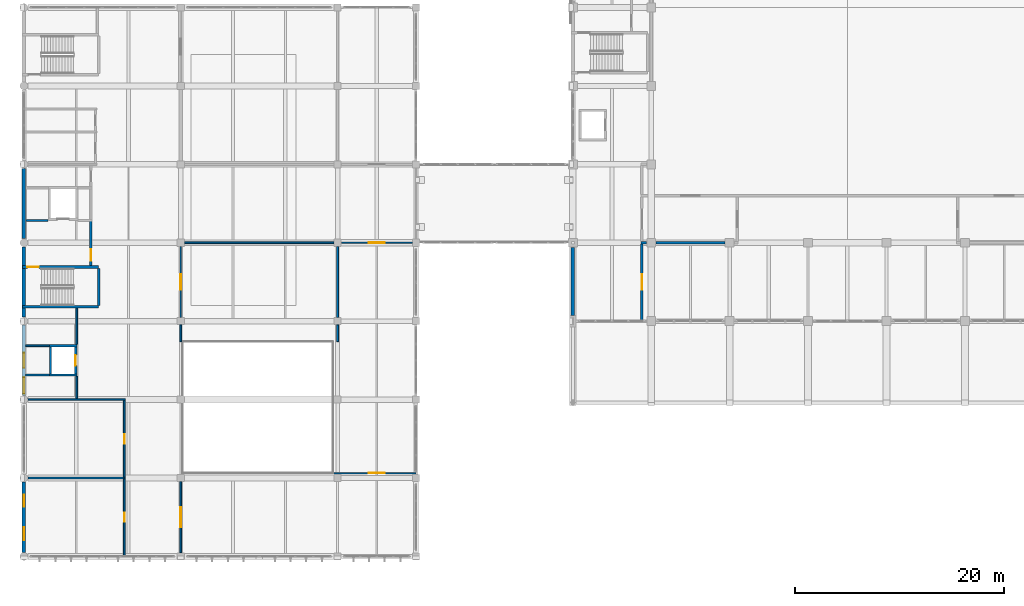
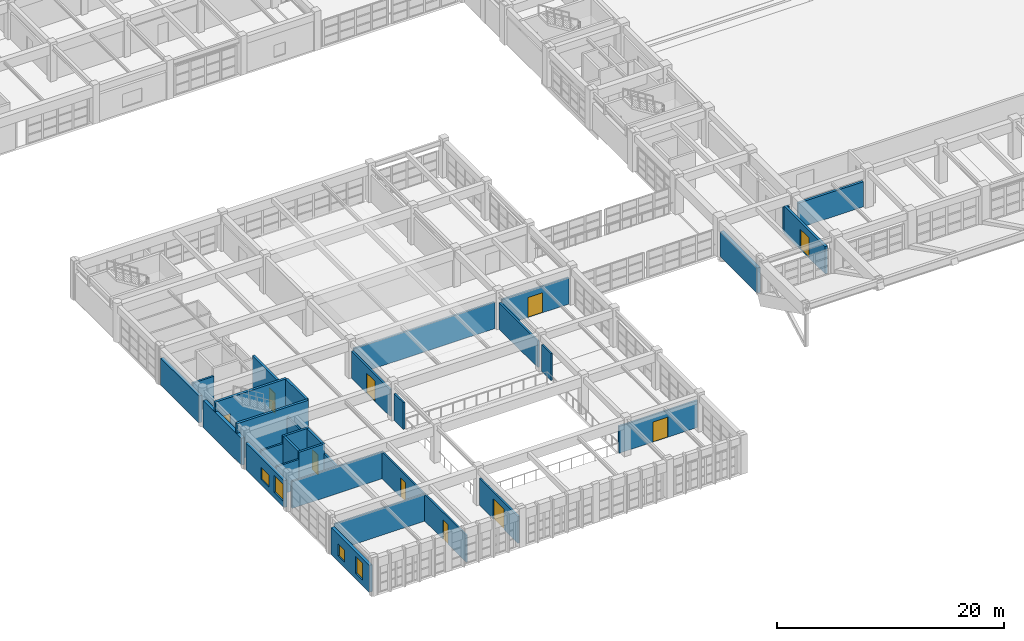
# One storey, part 99 of 132: 33 walls, 10 doors, 4 windows, 14 openings.
"""IFC4 building model written with IfcOpenShell, lengths in metres."""

from ifc_helpers import new_model, si_unit, direction, frame, frame_2d, origin, place, context, subcontext, project, spatial, rectangle, extrude, material, layer, layer_set, type_object, element, fill, save


model = new_model("IFC4")

# Units and contexts
model_context = context("Model", 3, precision=1e-05, world=origin(), true_north=direction((0.0, 1.0)))
body_context = subcontext(model_context, "Body", "Model", "MODEL_VIEW")
ifc_project = project(units=[si_unit("LENGTHUNIT", "METRE"), si_unit("AREAUNIT", "SQUARE_METRE"), si_unit("VOLUMEUNIT", "CUBIC_METRE"), si_unit("PLANEANGLEUNIT", "RADIAN"), si_unit("MASSUNIT", "GRAM", prefix="KILO")], contexts=[model_context])

# Site, building, storey
site_placement = place(None, origin())
site = spatial("IfcSite", under=ifc_project, at=site_placement, CompositionType="ELEMENT")
building_placement = place(site_placement, origin())
building = spatial("IfcBuilding", under=site, at=building_placement, Name="Qasida Concert Hall", CompositionType="ELEMENT")
storey_placement = place(building_placement, frame((0.0, 0.0, 4.800048828125)))
storey = spatial("IfcBuildingStorey", under=building, at=storey_placement, Name="L01", CompositionType="ELEMENT", Elevation=4.800048828125)

# Walls
ifc_material_1 = material(Name="Concrete C40/50", Category="concrete")
ifc_layer_1 = layer(ifc_material_1, 0.219970703125, Name="Concrete C40/50")
ifc_layer_set_1 = layer_set([ifc_layer_1], Name="Concrete C40/50")
wall_type_1 = type_object("IfcWallType", Name="WL-CW-220", PredefinedType="SOLIDWALL", material=ifc_layer_set_1)
for number, where, z_axis, x_axis, name in (
    (1, (2.43994140625, 17.35009765625, 0.0), (0.0, 0.0, 1.0), (1.0, 0.0, 0.0), "L01 LF-05 lift shaft wall S"),
    (2, (2.43994140625, 20.14990234375, 0.0), (0.0, 0.0, 1.0), (1.0, 0.0, 0.0), "L01 LF-05 lift shaft wall N"),
):
    element("IfcWall", number, at=place(storey_placement, frame(where, z_axis=z_axis, x_axis=x_axis)), inside=storey, type_object=wall_type_1, Name=name, PredefinedType="SOLIDWALL", context=body_context, shape_type="SweptSolid", body=[
        extrude(rectangle(XDim=2.6201171875, YDim=0.219970703125, at=frame_2d((1.31005859375, 0.0))), origin(), (0.0, 0.0, 1.0), 3.919921875),
    ])
wall_1_placement = place(storey_placement, frame((2.550048828125, 17.4599609375, 0.0), z_axis=(0.0, 0.0, 1.0), x_axis=(0.0, 1.0, 0.0)))
element("IfcWall", 3, at=wall_1_placement, inside=storey, type_object=wall_type_1, Name="L01 LF-05 lift shaft wall W", PredefinedType="SOLIDWALL", context=body_context, shape_type="SweptSolid", body=[
    extrude(rectangle(XDim=2.580078125, YDim=0.219970703125, at=frame_2d((1.2900390625, 0.0))), origin(), (0.0, 0.0, 1.0), 3.919921875),
])

# Wall, opening, door
wall_2_placement = place(storey_placement, frame((4.949951171875, 17.4599609375, 0.0), z_axis=(0.0, 0.0, 1.0), x_axis=(0.0, 1.0, 0.0)))
wall_2 = element("IfcWall", 4, at=wall_2_placement, inside=storey, type_object=wall_type_1, Name="L01 LF-05 lift shaft wall E", PredefinedType="SOLIDWALL", context=body_context, shape_type="SweptSolid", body=[
    extrude(rectangle(XDim=2.580078125, YDim=0.219970703125, at=frame_2d((1.2900390625, 0.0))), origin(), (0.0, 0.0, 1.0), 3.919921875),
])
opening_1_placement = place(wall_2_placement, frame((0.7900390625, 0.0, 0.0)))
opening_1 = element("IfcOpeningElement", 5, at=opening_1_placement, cuts=wall_2, Name="Opening LD-100", PredefinedType="OPENING", context=body_context, shape_type="SweptSolid", body=[
    extrude(rectangle(XDim=1.0, YDim=2.14990234375, at=frame_2d((0.5, 1.074951171875))), frame((0.0, 0.119873046875, 0.0), z_axis=(0.0, -1.0, 0.0), x_axis=(1.0, 0.0, 0.0)), (0.0, 0.0, 1.0), 0.239990234375),
])
ifc_material_2 = material(Name="Brushed bronze passenger lift landing door", Category="steel")
door_type_1 = type_object("IfcDoorType", Name="LD-100", OperationType="SLIDING_TO_LEFT", PredefinedType="DOOR", material=ifc_material_2)
door_1_placement = place(opening_1_placement, origin())
door_1 = element("IfcDoor", 6, at=door_1_placement, inside=storey, type_object=door_type_1, Name="Lift landing door LF-05 L01", OperationType="SLIDING_TO_LEFT", OverallHeight=2.14990234375, OverallWidth=1.0, PredefinedType="DOOR", context=body_context, shape_type="SweptSolid", body=[
    extrude(rectangle(XDim=1.0, YDim=2.14990234375, at=frame_2d((0.5, 1.074951171875))), frame((0.0, 0.02490234375, 0.0), z_axis=(0.0, -1.0, 0.0), x_axis=(1.0, 0.0, 0.0)), (0.0, 0.0, 1.0), 0.050048828125),
])
fill(opening_1, door_1)

wall_3_placement = place(storey_placement, frame((6.39990234375, 27.820068359375, 0.0), z_axis=(0.0, 0.0, 1.0), x_axis=(0.0, 1.0, 0.0)))
wall_3 = element("IfcWall", 7, at=wall_3_placement, inside=storey, type_object=wall_type_1, Name="L01 LF-06 firefighting lobby wall", PredefinedType="SOLIDWALL", context=body_context, shape_type="SweptSolid", body=[
    extrude(rectangle(XDim=4.309814453125, YDim=0.219970703125, at=frame_2d((2.15478515625, 0.0))), origin(), (0.0, 0.0, 1.0), 3.919921875),
])
opening_2_placement = place(wall_3_placement, frame((0.449951171875, 0.0, 0.0)))
opening_2 = element("IfcOpeningElement", 8, at=opening_2_placement, cuts=wall_3, Name="Opening FD-110", PredefinedType="OPENING", context=body_context, shape_type="SweptSolid", body=[
    extrude(rectangle(XDim=1.10009765625, YDim=2.14990234375, at=frame_2d((0.550048828125, 1.074951171875))), frame((0.0, 0.119873046875, 0.0), z_axis=(0.0, -1.0, 0.0), x_axis=(1.0, 0.0, 0.0)), (0.0, 0.0, 1.0), 0.239990234375),
])
ifc_material_3 = material(Name="Steel fire-rated stair/lobby door set", Category="steel")
door_type_2 = type_object("IfcDoorType", Name="FD-110", OperationType="NOTDEFINED", PredefinedType="DOOR", material=ifc_material_3)
door_2_placement = place(opening_2_placement, origin())
door_2 = element("IfcDoor", 9, at=door_2_placement, inside=storey, type_object=door_type_2, Name="L01 LF-06 firefighting lobby fire door", OperationType="SINGLE_SWING_LEFT", OverallHeight=2.14990234375, OverallWidth=1.10009765625, PredefinedType="DOOR", context=body_context, shape_type="SweptSolid", body=[
    extrude(rectangle(XDim=1.10009765625, YDim=2.14990234375, at=frame_2d((0.550048828125, 1.074951171875))), frame((0.0, 0.02490234375, 0.0), z_axis=(0.0, -1.0, 0.0), x_axis=(1.0, 0.0, 0.0)), (0.0, 0.0, 1.0), 0.050048828125),
])
fill(opening_2, door_2)

# Wall
ifc_layer_2 = layer(ifc_material_1, 0.25, Name="Concrete C40/50")
ifc_layer_set_2 = layer_set([ifc_layer_2], Name="Concrete C40/50")
wall_type_2 = type_object("IfcWallType", Name="WL-CW-250", PredefinedType="SOLIDWALL", material=ifc_layer_set_2)
wall_4_placement = place(storey_placement, frame((-0.1201171875, 23.875, 0.0), z_axis=(0.0, 0.0, 1.0), x_axis=(1.0, 0.0, 0.0)))
element("IfcWall", 10, at=wall_4_placement, inside=storey, type_object=wall_type_2, Name="L01 ST-03 stairwell wall S", PredefinedType="SOLIDWALL", context=body_context, shape_type="SweptSolid", body=[
    extrude(rectangle(XDim=7.260009765625, YDim=0.25, at=frame_2d((3.6298828125, 0.0))), origin(), (0.0, 0.0, 1.0), 3.919921875),
])

# Wall, opening, door
wall_5_placement = place(storey_placement, frame((-0.1201171875, 27.68505859375, 0.0), z_axis=(0.0, 0.0, 1.0), x_axis=(1.0, 0.0, 0.0)))
wall_5 = element("IfcWall", 11, at=wall_5_placement, inside=storey, type_object=wall_type_2, Name="L01 ST-03 stairwell wall N", PredefinedType="SOLIDWALL", context=body_context, shape_type="SweptSolid", body=[
    extrude(rectangle(XDim=7.260009765625, YDim=0.25, at=frame_2d((3.6298828125, 0.0))), origin(), (0.0, 0.0, 1.0), 3.919921875),
])
opening_3_placement = place(wall_5_placement, frame((0.449951171875, 0.0, 0.0)))
opening_3 = element("IfcOpeningElement", 12, at=opening_3_placement, cuts=wall_5, Name="Opening FD-110", PredefinedType="OPENING", context=body_context, shape_type="SweptSolid", body=[
    extrude(rectangle(XDim=1.10009765625, YDim=2.14990234375, at=frame_2d((0.550048828125, 1.074951171875))), frame((0.0, 0.135009765625, 0.0), z_axis=(0.0, -1.0, 0.0), x_axis=(1.0, 0.0, 0.0)), (0.0, 0.0, 1.0), 0.27001953125),
])
door_3_placement = place(opening_3_placement, origin())
door_3 = element("IfcDoor", 13, at=door_3_placement, inside=storey, type_object=door_type_2, Name="L01 ST-03 rated stair door", OperationType="SINGLE_SWING_LEFT", OverallHeight=2.14990234375, OverallWidth=1.10009765625, PredefinedType="DOOR", context=body_context, shape_type="SweptSolid", body=[
    extrude(rectangle(XDim=1.10009765625, YDim=2.14990234375, at=frame_2d((0.550048828125, 1.074951171875))), frame((0.0, 0.02490234375, 0.0), z_axis=(0.0, -1.0, 0.0), x_axis=(1.0, 0.0, 0.0)), (0.0, 0.0, 1.0), 0.050048828125),
])
fill(opening_3, door_3)

# Wall
wall_6_placement = place(storey_placement, frame((7.14501953125, 24.0, 0.0), z_axis=(0.0, 0.0, 1.0), x_axis=(0.0, 1.0, 0.0)))
element("IfcWall", 14, at=wall_6_placement, inside=storey, type_object=wall_type_2, Name="L01 ST-03 stairwell wall E", PredefinedType="SOLIDWALL", context=body_context, shape_type="SweptSolid", body=[
    extrude(rectangle(XDim=3.56005859375, YDim=0.25, at=frame_2d((1.780029296875, 0.0))), origin(), (0.0, 0.0, 1.0), 3.919921875),
])

# Wall, openings, windows
ifc_material_4 = material(Name="Precast concrete C40/50", Category="concrete")
ifc_layer_3 = layer(ifc_material_4, 0.320068359375, Name="Precast concrete C40/50")
ifc_layer_set_3 = layer_set([ifc_layer_3], Name="Precast concrete C40/50")
wall_type_3 = type_object("IfcWallType", Name="WL-EW-320", PredefinedType="SOLIDWALL", material=ifc_layer_set_3)
wall_7_placement = place(storey_placement, frame((0.0, 0.385009765625, 0.0), z_axis=(0.0, 0.0, 1.0), x_axis=(0.0, 1.0, 0.0)))
wall_7 = element("IfcWall", 15, at=wall_7_placement, inside=storey, type_object=wall_type_3, Name="L01 exterior wall EW-320 0123", PredefinedType="SOLIDWALL", context=body_context, shape_type="SweptSolid", body=[
    extrude(rectangle(XDim=6.72998046875, YDim=0.320068359375, at=frame_2d((3.364990234375, 0.0))), origin(), (0.0, 0.0, 1.0), 2.889892578125),
])
opening_4_placement = place(wall_7_placement, frame((1.175048828125, 0.0, 0.60009765625)))
opening_4 = element("IfcOpeningElement", 16, at=opening_4_placement, cuts=wall_7, Name="Opening WN-02", PredefinedType="OPENING", context=body_context, shape_type="SweptSolid", body=[
    extrude(rectangle(XDim=1.25, YDim=1.800048828125, at=frame_2d((0.625, 0.89990234375))), frame((0.0, 0.169921875, 0.0), z_axis=(0.0, -1.0, 0.0), x_axis=(1.0, 0.0, 0.0)), (0.0, 0.0, 1.0), 0.340087890625),
])
opening_5_placement = place(wall_7_placement, frame((4.35498046875, 0.0, 0.60009765625)))
opening_5 = element("IfcOpeningElement", 17, at=opening_5_placement, cuts=wall_7, Name="Opening WN-09", PredefinedType="OPENING", context=body_context, shape_type="SweptSolid", body=[
    extrude(rectangle(XDim=1.14990234375, YDim=1.300048828125, at=frame_2d((0.574951171875, 0.64990234375))), frame((0.0, 0.169921875, 0.0), z_axis=(0.0, -1.0, 0.0), x_axis=(1.0, 0.0, 0.0)), (0.0, 0.0, 1.0), 0.340087890625),
])
ifc_material_5 = material(Name="Bronze-anodized aluminium frame with acoustic low-E glazing", Category="aluminium")
window_type_1 = type_object("IfcWindowType", Name="WN-02", PartitioningType="SINGLE_PANEL", PredefinedType="WINDOW", material=ifc_material_5)
window_1_placement = place(opening_4_placement, origin())
window_1 = element("IfcWindow", 18, at=window_1_placement, inside=storey, type_object=window_type_1, Name="L01 window WN-02 0049", OverallHeight=1.800048828125, OverallWidth=1.25, PartitioningType="SINGLE_PANEL", PredefinedType="WINDOW", context=body_context, shape_type="SweptSolid", body=[
    extrude(rectangle(XDim=1.25, YDim=1.800048828125, at=frame_2d((0.625, 0.89990234375))), frame((0.0, 0.030029296875, 0.0), z_axis=(0.0, -1.0, 0.0), x_axis=(1.0, 0.0, 0.0)), (0.0, 0.0, 1.0), 0.06005859375),
])
fill(opening_4, window_1)
window_type_2 = type_object("IfcWindowType", Name="WN-09", PartitioningType="SINGLE_PANEL", PredefinedType="WINDOW", material=ifc_material_5)
window_2_placement = place(opening_5_placement, origin())
window_2 = element("IfcWindow", 19, at=window_2_placement, inside=storey, type_object=window_type_2, Name="L01 window WN-09 0050", OverallHeight=1.300048828125, OverallWidth=1.14990234375, PartitioningType="SINGLE_PANEL", PredefinedType="WINDOW", context=body_context, shape_type="SweptSolid", body=[
    extrude(rectangle(XDim=1.14990234375, YDim=1.300048828125, at=frame_2d((0.574951171875, 0.64990234375))), frame((0.0, 0.030029296875, 0.0), z_axis=(0.0, -1.0, 0.0), x_axis=(1.0, 0.0, 0.0)), (0.0, 0.0, 1.0), 0.06005859375),
])
fill(opening_5, window_2)

wall_8_placement = place(storey_placement, frame((0.0, 15.385009765625, 0.0), z_axis=(0.0, 0.0, 1.0), x_axis=(0.0, 1.0, 0.0)))
wall_8 = element("IfcWall", 20, at=wall_8_placement, inside=storey, type_object=wall_type_3, Name="L01 exterior wall EW-320 0124", PredefinedType="SOLIDWALL", context=body_context, shape_type="SweptSolid", body=[
    extrude(rectangle(XDim=6.72998046875, YDim=0.320068359375, at=frame_2d((3.364990234375, 0.0))), origin(), (0.0, 0.0, 1.0), 2.889892578125),
])
opening_6_placement = place(wall_8_placement, frame((0.1923828125, 0.0, 0.60009765625)))
opening_6 = element("IfcOpeningElement", 21, at=opening_6_placement, cuts=wall_8, Name="Opening WN-04", PredefinedType="OPENING", context=body_context, shape_type="SweptSolid", body=[
    extrude(rectangle(XDim=1.550048828125, YDim=1.800048828125, at=frame_2d((0.77490234375, 0.89990234375))), frame((0.0, 0.169921875, 0.0), z_axis=(0.0, -1.0, 0.0), x_axis=(1.0, 0.0, 0.0)), (0.0, 0.0, 1.0), 0.340087890625),
])
opening_7_placement = place(wall_8_placement, frame((2.639892578125, 0.0, 0.60009765625)))
opening_7 = element("IfcOpeningElement", 22, at=opening_7_placement, cuts=wall_8, Name="Opening WN-11", PredefinedType="OPENING", context=body_context, shape_type="SweptSolid", body=[
    extrude(rectangle(XDim=1.449951171875, YDim=1.300048828125, at=frame_2d((0.72509765625, 0.64990234375))), frame((0.0, 0.169921875, 0.0), z_axis=(0.0, -1.0, 0.0), x_axis=(1.0, 0.0, 0.0)), (0.0, 0.0, 1.0), 0.340087890625),
])
window_type_3 = type_object("IfcWindowType", Name="WN-04", PartitioningType="SINGLE_PANEL", PredefinedType="WINDOW", material=ifc_material_5)
window_3_placement = place(opening_6_placement, origin())
window_3 = element("IfcWindow", 23, at=window_3_placement, inside=storey, type_object=window_type_3, Name="L01 window WN-04 0051", OverallHeight=1.800048828125, OverallWidth=1.550048828125, PartitioningType="SINGLE_PANEL", PredefinedType="WINDOW", context=body_context, shape_type="SweptSolid", body=[
    extrude(rectangle(XDim=1.550048828125, YDim=1.800048828125, at=frame_2d((0.77490234375, 0.89990234375))), frame((0.0, 0.030029296875, 0.0), z_axis=(0.0, -1.0, 0.0), x_axis=(1.0, 0.0, 0.0)), (0.0, 0.0, 1.0), 0.06005859375),
])
fill(opening_6, window_3)
window_type_4 = type_object("IfcWindowType", Name="WN-11", PartitioningType="SINGLE_PANEL", PredefinedType="WINDOW", material=ifc_material_5)
window_4_placement = place(opening_7_placement, origin())
window_4 = element("IfcWindow", 24, at=window_4_placement, inside=storey, type_object=window_type_4, Name="L01 window WN-11 0052", OverallHeight=1.300048828125, OverallWidth=1.449951171875, PartitioningType="SINGLE_PANEL", PredefinedType="WINDOW", context=body_context, shape_type="SweptSolid", body=[
    extrude(rectangle(XDim=1.449951171875, YDim=1.300048828125, at=frame_2d((0.72509765625, 0.64990234375))), frame((0.0, 0.030029296875, 0.0), z_axis=(0.0, -1.0, 0.0), x_axis=(1.0, 0.0, 0.0)), (0.0, 0.0, 1.0), 0.06005859375),
])
fill(opening_7, window_4)

# Walls
for number, where, z_axis, x_axis, name in (
    (25, (0.0, 22.885009765625, 0.0), (0.0, 0.0, 1.0), (0.0, 1.0, 0.0), "L01 exterior wall EW-320 0125"),
    (26, (0.0, 30.385009765625, 0.0), (0.0, 0.0, 1.0), (0.0, 1.0, 0.0), "L01 exterior wall EW-320 0126"),
):
    element("IfcWall", number, at=place(storey_placement, frame(where, z_axis=z_axis, x_axis=x_axis)), inside=storey, type_object=wall_type_3, Name=name, PredefinedType="SOLIDWALL", context=body_context, shape_type="SweptSolid", body=[
        extrude(rectangle(XDim=6.72998046875, YDim=0.320068359375, at=frame_2d((3.364990234375, 0.0))), origin(), (0.0, 0.0, 1.0), 2.889892578125),
    ])
ifc_layer_4 = layer(ifc_material_4, 0.340087890625, Name="Precast concrete C40/50")
ifc_layer_set_4 = layer_set([ifc_layer_4], Name="Precast concrete C40/50")
wall_type_4 = type_object("IfcWallType", Name="WL-EW-340", PredefinedType="SOLIDWALL", material=ifc_layer_set_4)
wall_9_placement = place(storey_placement, frame((52.5, 23.06494140625, 0.0), z_axis=(0.0, 0.0, 1.0), x_axis=(0.0, 1.0, 0.0)))
element("IfcWall", 27, at=wall_9_placement, inside=storey, type_object=wall_type_4, Name="L01 exterior wall EW-340 0031", PredefinedType="SOLIDWALL", context=body_context, shape_type="SweptSolid", body=[
    extrude(rectangle(XDim=6.5, YDim=0.340087890625, at=frame_2d((3.25, 0.0))), origin(), (0.0, 0.0, 1.0), 2.68994140625),
])
ifc_material_6 = material(Name="Moisture-resistant gypsum partition", Category="gypsum")
ifc_layer_5 = layer(ifc_material_6, 0.159912109375, Name="Moisture-resistant gypsum partition")
ifc_layer_set_5 = layer_set([ifc_layer_5], Name="Moisture-resistant gypsum partition")
wall_type_5 = type_object("IfcWallType", Name="WL-PW-160", PredefinedType="PARTITIONING", material=ifc_layer_set_5)
for number, where, z_axis, x_axis, name in (
    (28, (0.388916015625, 7.5, 0.0), (0.0, 0.0, 1.0), (1.0, 0.0, 0.0), "L01 partition PW-160 0071"),
    (29, (0.388916015625, 15.0, 0.0), (0.0, 0.0, 1.0), (1.0, 0.0, 0.0), "L01 partition PW-160 0072"),
):
    element("IfcWall", number, at=place(storey_placement, frame(where, z_axis=z_axis, x_axis=x_axis)), inside=storey, type_object=wall_type_5, Name=name, PredefinedType="PARTITIONING", context=body_context, shape_type="SweptSolid", body=[
        extrude(rectangle(XDim=9.31103515625, YDim=0.159912109375, at=frame_2d((4.655517578125, 0.0))), origin(), (0.0, 0.0, 1.0), 2.889892578125),
    ])

# Wall, opening, door
wall_10_placement = place(storey_placement, frame((9.60009765625, 0.112060546875, 0.0), z_axis=(0.0, 0.0, 1.0), x_axis=(0.0, 1.0, 0.0)))
wall_10 = element("IfcWall", 30, at=wall_10_placement, inside=storey, type_object=wall_type_5, Name="L01 partition PW-160 0073", PredefinedType="PARTITIONING", context=body_context, shape_type="SweptSolid", body=[
    extrude(rectangle(XDim=7.2939453125, YDim=0.159912109375, at=frame_2d((3.64697265625, 0.0))), origin(), (0.0, 0.0, 1.0), 2.889892578125),
])
opening_8_placement = place(wall_10_placement, frame((3.18798828125, 0.0, 0.0)))
opening_8 = element("IfcOpeningElement", 31, at=opening_8_placement, cuts=wall_10, Name="Opening ID-090", PredefinedType="OPENING", context=body_context, shape_type="SweptSolid", body=[
    extrude(rectangle(XDim=0.89990234375, YDim=2.10009765625, at=frame_2d((0.449951171875, 1.050048828125))), frame((0.0, 0.08984375, 0.0), z_axis=(0.0, -1.0, 0.0), x_axis=(1.0, 0.0, 0.0)), (0.0, 0.0, 1.0), 0.179931640625),
])
ifc_material_7 = material(Name="Quarter-sawn oak flush room door", Category="wood")
door_type_3 = type_object("IfcDoorType", Name="ID-090", OperationType="NOTDEFINED", PredefinedType="DOOR", material=ifc_material_7)
door_4_placement = place(opening_8_placement, origin())
door_4 = element("IfcDoor", 32, at=door_4_placement, inside=storey, type_object=door_type_3, Name="L01 Male restroom door", OperationType="SINGLE_SWING_LEFT", OverallHeight=2.10009765625, OverallWidth=0.89990234375, PredefinedType="DOOR", context=body_context, shape_type="SweptSolid", body=[
    extrude(rectangle(XDim=0.89990234375, YDim=2.10009765625, at=frame_2d((0.449951171875, 1.050048828125))), frame((0.0, 0.02490234375, 0.0), z_axis=(0.0, -1.0, 0.0), x_axis=(1.0, 0.0, 0.0)), (0.0, 0.0, 1.0), 0.050048828125),
])
fill(opening_8, door_4)

wall_11_placement = place(storey_placement, frame((9.60009765625, 7.593994140625, 0.0), z_axis=(0.0, 0.0, 1.0), x_axis=(0.0, 1.0, 0.0)))
wall_11 = element("IfcWall", 33, at=wall_11_placement, inside=storey, type_object=wall_type_5, Name="L01 partition PW-160 0074", PredefinedType="PARTITIONING", context=body_context, shape_type="SweptSolid", body=[
    extrude(rectangle(XDim=7.31201171875, YDim=0.159912109375, at=frame_2d((3.656005859375, 0.0))), origin(), (0.0, 0.0, 1.0), 2.889892578125),
])
opening_9_placement = place(wall_11_placement, frame((3.2060546875, 0.0, 0.0)))
opening_9 = element("IfcOpeningElement", 34, at=opening_9_placement, cuts=wall_11, Name="Opening ID-090", PredefinedType="OPENING", context=body_context, shape_type="SweptSolid", body=[
    extrude(rectangle(XDim=0.89990234375, YDim=2.10009765625, at=frame_2d((0.449951171875, 1.050048828125))), frame((0.0, 0.08984375, 0.0), z_axis=(0.0, -1.0, 0.0), x_axis=(1.0, 0.0, 0.0)), (0.0, 0.0, 1.0), 0.179931640625),
])
door_5_placement = place(opening_9_placement, origin())
door_5 = element("IfcDoor", 35, at=door_5_placement, inside=storey, type_object=door_type_3, Name="L01 Female restroom door", OperationType="SINGLE_SWING_RIGHT", OverallHeight=2.10009765625, OverallWidth=0.89990234375, PredefinedType="DOOR", context=body_context, shape_type="SweptSolid", body=[
    extrude(rectangle(XDim=0.89990234375, YDim=2.10009765625, at=frame_2d((0.449951171875, 1.050048828125))), frame((0.0, 0.02490234375, 0.0), z_axis=(0.0, -1.0, 0.0), x_axis=(1.0, 0.0, 0.0)), (0.0, 0.0, 1.0), 0.050048828125),
])
fill(opening_9, door_5)

# Walls
ifc_material_8 = material(Name="Acoustic metal-stud gypsum partition", Category="gypsum")
ifc_layer_6 = layer(ifc_material_8, 0.179931640625, Name="Acoustic metal-stud gypsum partition")
ifc_layer_set_6 = layer_set([ifc_layer_6], Name="Acoustic metal-stud gypsum partition")
wall_type_6 = type_object("IfcWallType", Name="WL-PW-180", PredefinedType="PARTITIONING", material=ifc_layer_set_6)
for number, where, z_axis, x_axis, name in (
    (36, (0.174072265625, 17.35009765625, 0.0), (0.0, 0.0, 1.0), (1.0, 0.0, 0.0), "L01 partition PW-180 0092"),
    (37, (0.174072265625, 20.14990234375, 0.0), (0.0, 0.0, 1.0), (1.0, 0.0, 0.0), "L01 partition PW-180 0093"),
):
    element("IfcWall", number, at=place(storey_placement, frame(where, z_axis=z_axis, x_axis=x_axis)), inside=storey, type_object=wall_type_6, Name=name, PredefinedType="PARTITIONING", context=body_context, shape_type="SweptSolid", body=[
        extrude(rectangle(XDim=2.265869140625, YDim=0.179931640625, at=frame_2d((1.1328125, 0.0))), origin(), (0.0, 0.0, 1.0), 3.139892578125),
    ])
wall_12_placement = place(storey_placement, frame((5.050048828125, 15.093994140625, 0.0), z_axis=(0.0, 0.0, 1.0), x_axis=(0.0, 1.0, 0.0)))
element("IfcWall", 38, at=wall_12_placement, inside=storey, type_object=wall_type_6, Name="L01 partition PW-180 0094", PredefinedType="PARTITIONING", context=body_context, shape_type="SweptSolid", body=[
    extrude(rectangle(XDim=2.132080078125, YDim=0.179931640625, at=frame_2d((1.06591796875, 0.0))), origin(), (0.0, 0.0, 1.0), 2.889892578125),
])
wall_13_placement = place(storey_placement, frame((5.050048828125, 20.27392578125, 0.0), z_axis=(0.0, 0.0, 1.0), x_axis=(0.0, 1.0, 0.0)))
element("IfcWall", 39, at=wall_13_placement, inside=storey, type_object=wall_type_6, Name="L01 partition PW-180 0095", PredefinedType="PARTITIONING", context=body_context, shape_type="SweptSolid", body=[
    extrude(rectangle(XDim=3.462158203125, YDim=0.179931640625, at=frame_2d((1.73095703125, 0.0))), origin(), (0.0, 0.0, 1.0), 2.889892578125),
])

# Wall, opening, door
wall_14_placement = place(storey_placement, frame((29.5400390625, 7.9599609375, 0.0), z_axis=(0.0, 0.0, 1.0), x_axis=(1.0, 0.0, 0.0)))
wall_14 = element("IfcWall", 40, at=wall_14_placement, inside=storey, type_object=wall_type_6, Name="L01 partition PW-180 0188", PredefinedType="PARTITIONING", context=body_context, shape_type="SweptSolid", body=[
    extrude(rectangle(XDim=7.9599609375, YDim=0.179931640625, at=frame_2d((3.97998046875, 0.0))), origin(), (0.0, 0.0, 1.0), 2.889892578125),
])
opening_10_placement = place(wall_14_placement, frame((3.4599609375, 0.0, 0.0)))
opening_10 = element("IfcOpeningElement", 41, at=opening_10_placement, cuts=wall_14, Name="Opening ID-150", PredefinedType="OPENING", context=body_context, shape_type="SweptSolid", body=[
    extrude(rectangle(XDim=1.5, YDim=2.159912109375, at=frame_2d((0.75, 1.080078125))), frame((0.0, 0.099853515625, 0.0), z_axis=(0.0, -1.0, 0.0), x_axis=(1.0, 0.0, 0.0)), (0.0, 0.0, 1.0), 0.199951171875),
])
ifc_material_9 = material(Name="Bronze-framed glazed foyer door", Category="aluminium")
door_type_4 = type_object("IfcDoorType", Name="ID-150", OperationType="NOTDEFINED", PredefinedType="DOOR", material=ifc_material_9)
door_6_placement = place(opening_10_placement, origin())
door_6 = element("IfcDoor", 42, at=door_6_placement, inside=storey, type_object=door_type_4, Name="L01 L01 east atrium gallery south door", OperationType="SINGLE_SWING_RIGHT", OverallHeight=2.159912109375, OverallWidth=1.5, PredefinedType="DOOR", context=body_context, shape_type="SweptSolid", body=[
    extrude(rectangle(XDim=1.5, YDim=2.159912109375, at=frame_2d((0.75, 1.080078125))), frame((0.0, 0.02490234375, 0.0), z_axis=(0.0, -1.0, 0.0), x_axis=(1.0, 0.0, 0.0)), (0.0, 0.0, 1.0), 0.050048828125),
])
fill(opening_10, door_6)

# Wall
wall_15_placement = place(storey_placement, frame((15.35400390625, 30.0, 0.0), z_axis=(0.0, 0.0, 1.0), x_axis=(1.0, 0.0, 0.0)))
element("IfcWall", 43, at=wall_15_placement, inside=storey, type_object=wall_type_6, Name="L01 partition PW-180 0189", PredefinedType="PARTITIONING", context=body_context, shape_type="SweptSolid", body=[
    extrude(rectangle(XDim=14.2919921875, YDim=0.179931640625, at=frame_2d((7.14599609375, 0.0))), origin(), (0.0, 0.0, 1.0), 2.83984375),
])

# Wall, opening, door
wall_16_placement = place(storey_placement, frame((30.35400390625, 30.0, 0.0), z_axis=(0.0, 0.0, 1.0), x_axis=(1.0, 0.0, 0.0)))
wall_16 = element("IfcWall", 44, at=wall_16_placement, inside=storey, type_object=wall_type_6, Name="L01 partition PW-180 0190", PredefinedType="PARTITIONING", context=body_context, shape_type="SweptSolid", body=[
    extrude(rectangle(XDim=6.7919921875, YDim=0.179931640625, at=frame_2d((3.39599609375, 0.0))), origin(), (0.0, 0.0, 1.0), 2.83984375),
])
opening_11_placement = place(wall_16_placement, frame((2.64599609375, 0.0, 0.0)))
opening_11 = element("IfcOpeningElement", 45, at=opening_11_placement, cuts=wall_16, Name="Opening ID-150", PredefinedType="OPENING", context=body_context, shape_type="SweptSolid", body=[
    extrude(rectangle(XDim=1.5, YDim=2.159912109375, at=frame_2d((0.75, 1.080078125))), frame((0.0, 0.099853515625, 0.0), z_axis=(0.0, -1.0, 0.0), x_axis=(1.0, 0.0, 0.0)), (0.0, 0.0, 1.0), 0.199951171875),
])
door_7_placement = place(opening_11_placement, origin())
door_7 = element("IfcDoor", 46, at=door_7_placement, inside=storey, type_object=door_type_4, Name="L01 L01 east gallery north door", OperationType="SINGLE_SWING_LEFT", OverallHeight=2.159912109375, OverallWidth=1.5, PredefinedType="DOOR", context=body_context, shape_type="SweptSolid", body=[
    extrude(rectangle(XDim=1.5, YDim=2.159912109375, at=frame_2d((0.75, 1.080078125))), frame((0.0, 0.02490234375, 0.0), z_axis=(0.0, -1.0, 0.0), x_axis=(1.0, 0.0, 0.0)), (0.0, 0.0, 1.0), 0.050048828125),
])
fill(opening_11, door_7)

# Walls
wall_17_placement = place(storey_placement, frame((30.0, 20.5400390625, 0.0), z_axis=(0.0, 0.0, 1.0), x_axis=(0.0, 1.0, 0.0)))
element("IfcWall", 47, at=wall_17_placement, inside=storey, type_object=wall_type_6, Name="L01 partition PW-180 0193", PredefinedType="PARTITIONING", context=body_context, shape_type="SweptSolid", body=[
    extrude(rectangle(XDim=1.60595703125, YDim=0.179931640625, at=frame_2d((0.802978515625, 0.0))), origin(), (0.0, 0.0, 1.0), 2.889892578125),
])
wall_18_placement = place(storey_placement, frame((30.0, 22.85400390625, 0.0), z_axis=(0.0, 0.0, 1.0), x_axis=(0.0, 1.0, 0.0)))
element("IfcWall", 48, at=wall_18_placement, inside=storey, type_object=wall_type_6, Name="L01 partition PW-180 0194", PredefinedType="PARTITIONING", context=body_context, shape_type="SweptSolid", body=[
    extrude(rectangle(XDim=6.7919921875, YDim=0.179931640625, at=frame_2d((3.39599609375, 0.0))), origin(), (0.0, 0.0, 1.0), 2.83984375),
])

# Wall, opening, door
wall_19_placement = place(storey_placement, frame((15.0, 0.35400390625, 0.0), z_axis=(0.0, 0.0, 1.0), x_axis=(0.0, 1.0, 0.0)))
wall_19 = element("IfcWall", 49, at=wall_19_placement, inside=storey, type_object=wall_type_6, Name="L01 partition PW-180 0197", PredefinedType="PARTITIONING", context=body_context, shape_type="SweptSolid", body=[
    extrude(rectangle(XDim=6.7919921875, YDim=0.179931640625, at=frame_2d((3.39599609375, 0.0))), origin(), (0.0, 0.0, 1.0), 2.889892578125),
])
opening_12_placement = place(wall_19_placement, frame((2.446044921875, 0.0, 0.0)))
opening_12 = element("IfcOpeningElement", 50, at=opening_12_placement, cuts=wall_19, Name="Opening ID-190", PredefinedType="OPENING", context=body_context, shape_type="SweptSolid", body=[
    extrude(rectangle(XDim=1.89990234375, YDim=2.179931640625, at=frame_2d((0.949951171875, 1.08984375))), frame((0.0, 0.099853515625, 0.0), z_axis=(0.0, -1.0, 0.0), x_axis=(1.0, 0.0, 0.0)), (0.0, 0.0, 1.0), 0.199951171875),
])
ifc_material_10 = material(Name="Bronze-framed glazed promenade door", Category="aluminium")
door_type_5 = type_object("IfcDoorType", Name="ID-190", OperationType="NOTDEFINED", PredefinedType="DOOR", material=ifc_material_10)
door_8_placement = place(opening_12_placement, origin())
door_8 = element("IfcDoor", 51, at=door_8_placement, inside=storey, type_object=door_type_5, Name="L01 Stalls promenade portal", OperationType="SINGLE_SWING_LEFT", OverallHeight=2.179931640625, OverallWidth=1.89990234375, PredefinedType="DOOR", context=body_context, shape_type="SweptSolid", body=[
    extrude(rectangle(XDim=1.89990234375, YDim=2.179931640625, at=frame_2d((0.949951171875, 1.08984375))), frame((0.0, 0.02490234375, 0.0), z_axis=(0.0, -1.0, 0.0), x_axis=(1.0, 0.0, 0.0)), (0.0, 0.0, 1.0), 0.050048828125),
])
fill(opening_12, door_8)

# Wall
wall_20_placement = place(storey_placement, frame((15.0, 20.5400390625, 0.0), z_axis=(0.0, 0.0, 1.0), x_axis=(0.0, 1.0, 0.0)))
element("IfcWall", 52, at=wall_20_placement, inside=storey, type_object=wall_type_6, Name="L01 partition PW-180 0198", PredefinedType="PARTITIONING", context=body_context, shape_type="SweptSolid", body=[
    extrude(rectangle(XDim=1.60595703125, YDim=0.179931640625, at=frame_2d((0.802978515625, 0.0))), origin(), (0.0, 0.0, 1.0), 2.889892578125),
])

# Wall, opening, door
wall_21_placement = place(storey_placement, frame((15.0, 22.85400390625, 0.0), z_axis=(0.0, 0.0, 1.0), x_axis=(0.0, 1.0, 0.0)))
wall_21 = element("IfcWall", 53, at=wall_21_placement, inside=storey, type_object=wall_type_6, Name="L01 partition PW-180 0199", PredefinedType="PARTITIONING", context=body_context, shape_type="SweptSolid", body=[
    extrude(rectangle(XDim=6.7919921875, YDim=0.179931640625, at=frame_2d((3.39599609375, 0.0))), origin(), (0.0, 0.0, 1.0), 2.889892578125),
])
opening_13_placement = place(wall_21_placement, frame((2.64599609375, 0.0, 0.0)))
opening_13 = element("IfcOpeningElement", 54, at=opening_13_placement, cuts=wall_21, Name="Opening ID-150", PredefinedType="OPENING", context=body_context, shape_type="SweptSolid", body=[
    extrude(rectangle(XDim=1.5, YDim=2.159912109375, at=frame_2d((0.75, 1.080078125))), frame((0.0, 0.099853515625, 0.0), z_axis=(0.0, -1.0, 0.0), x_axis=(1.0, 0.0, 0.0)), (0.0, 0.0, 1.0), 0.199951171875),
])
door_9_placement = place(opening_13_placement, origin())
door_9 = element("IfcDoor", 55, at=door_9_placement, inside=storey, type_object=door_type_4, Name="L01 Interval bar south door", OperationType="SINGLE_SWING_RIGHT", OverallHeight=2.159912109375, OverallWidth=1.5, PredefinedType="DOOR", context=body_context, shape_type="SweptSolid", body=[
    extrude(rectangle(XDim=1.5, YDim=2.159912109375, at=frame_2d((0.75, 1.080078125))), frame((0.0, 0.02490234375, 0.0), z_axis=(0.0, -1.0, 0.0), x_axis=(1.0, 0.0, 0.0)), (0.0, 0.0, 1.0), 0.050048828125),
])
fill(opening_13, door_9)

# Walls
ifc_material_11 = material(Name="Acoustic gypsum block and mineral wool", Category="gypsum")
ifc_layer_7 = layer(ifc_material_11, 0.199951171875, Name="Acoustic gypsum block and mineral wool")
ifc_layer_set_7 = layer_set([ifc_layer_7], Name="Acoustic gypsum block and mineral wool")
wall_type_7 = type_object("IfcWallType", Name="WL-PW-200", PredefinedType="PARTITIONING", material=ifc_layer_set_7)
wall_22_placement = place(storey_placement, frame((0.179931640625, 32.1298828125, 0.0), z_axis=(0.0, 0.0, 1.0), x_axis=(1.0, 0.0, 0.0)))
element("IfcWall", 56, at=wall_22_placement, inside=storey, type_object=wall_type_7, Name="L01 LF-06 firefighting lobby return wall", PredefinedType="PARTITIONING", context=body_context, shape_type="SweptSolid", body=[
    extrude(rectangle(XDim=2.14501953125, YDim=0.199951171875, at=frame_2d((1.072509765625, 0.0))), origin(), (0.0, 0.0, 1.0), 3.14990234375),
])
ifc_material_12 = material(Name="Double-stud acoustic gypsum and mineral wool", Category="gypsum")
ifc_layer_8 = layer(ifc_material_12, 0.239990234375, Name="Double-stud acoustic gypsum and mineral wool")
ifc_layer_set_8 = layer_set([ifc_layer_8], Name="Double-stud acoustic gypsum and mineral wool")
wall_type_8 = type_object("IfcWallType", Name="WL-PW-240", PredefinedType="PARTITIONING", material=ifc_layer_set_8)
wall_23_placement = place(storey_placement, frame((59.0, 30.0, 0.0), z_axis=(0.0, 0.0, 1.0), x_axis=(1.0, 0.0, 0.0)))
element("IfcWall", 57, at=wall_23_placement, inside=storey, type_object=wall_type_8, Name="L01 partition PW-240 0429", PredefinedType="PARTITIONING", context=body_context, shape_type="SweptSolid", body=[
    extrude(rectangle(XDim=0.56103515625, YDim=0.239990234375, at=frame_2d((0.280517578125, 0.0))), origin(), (0.0, 0.0, 1.0), 2.68994140625),
])
wall_24_placement = place(storey_placement, frame((60.43896484375, 30.0, 0.0), z_axis=(0.0, 0.0, 1.0), x_axis=(1.0, 0.0, 0.0)))
element("IfcWall", 58, at=wall_24_placement, inside=storey, type_object=wall_type_8, Name="L01 partition PW-240 0430", PredefinedType="PARTITIONING", context=body_context, shape_type="SweptSolid", body=[
    extrude(rectangle(XDim=6.6220703125, YDim=0.239990234375, at=frame_2d((3.31103515625, 0.0))), origin(), (0.0, 0.0, 1.0), 2.68994140625),
])

# Wall, opening, door
wall_25_placement = place(storey_placement, frame((59.10009765625, 22.632080078125, 0.0), z_axis=(0.0, 0.0, 1.0), x_axis=(0.0, 1.0, 0.0)))
wall_25 = element("IfcWall", 59, at=wall_25_placement, inside=storey, type_object=wall_type_8, Name="L01 partition PW-240 0445", PredefinedType="PARTITIONING", context=body_context, shape_type="SweptSolid", body=[
    extrude(rectangle(XDim=7.23388671875, YDim=0.239990234375, at=frame_2d((3.616943359375, 0.0))), origin(), (0.0, 0.0, 1.0), 2.93994140625),
])
opening_14_placement = place(wall_25_placement, frame((2.867919921875, 0.0, 0.0)))
opening_14 = element("IfcOpeningElement", 60, at=opening_14_placement, cuts=wall_25, Name="Opening ID-150", PredefinedType="OPENING", context=body_context, shape_type="SweptSolid", body=[
    extrude(rectangle(XDim=1.5, YDim=2.159912109375, at=frame_2d((0.75, 1.080078125))), frame((0.0, 0.1298828125, 0.0), z_axis=(0.0, -1.0, 0.0), x_axis=(1.0, 0.0, 0.0)), (0.0, 0.0, 1.0), 0.260009765625),
])
door_10_placement = place(opening_14_placement, origin())
door_10 = element("IfcDoor", 61, at=door_10_placement, inside=storey, type_object=door_type_4, Name="L01 Stalls foyer gallery west door", OperationType="SINGLE_SWING_RIGHT", OverallHeight=2.159912109375, OverallWidth=1.5, PredefinedType="DOOR", context=body_context, shape_type="SweptSolid", body=[
    extrude(rectangle(XDim=1.5, YDim=2.159912109375, at=frame_2d((0.75, 1.080078125))), frame((0.0, 0.02490234375, 0.0), z_axis=(0.0, -1.0, 0.0), x_axis=(1.0, 0.0, 0.0)), (0.0, 0.0, 1.0), 0.050048828125),
])
fill(opening_14, door_10)

save(model, "model.ifc")
